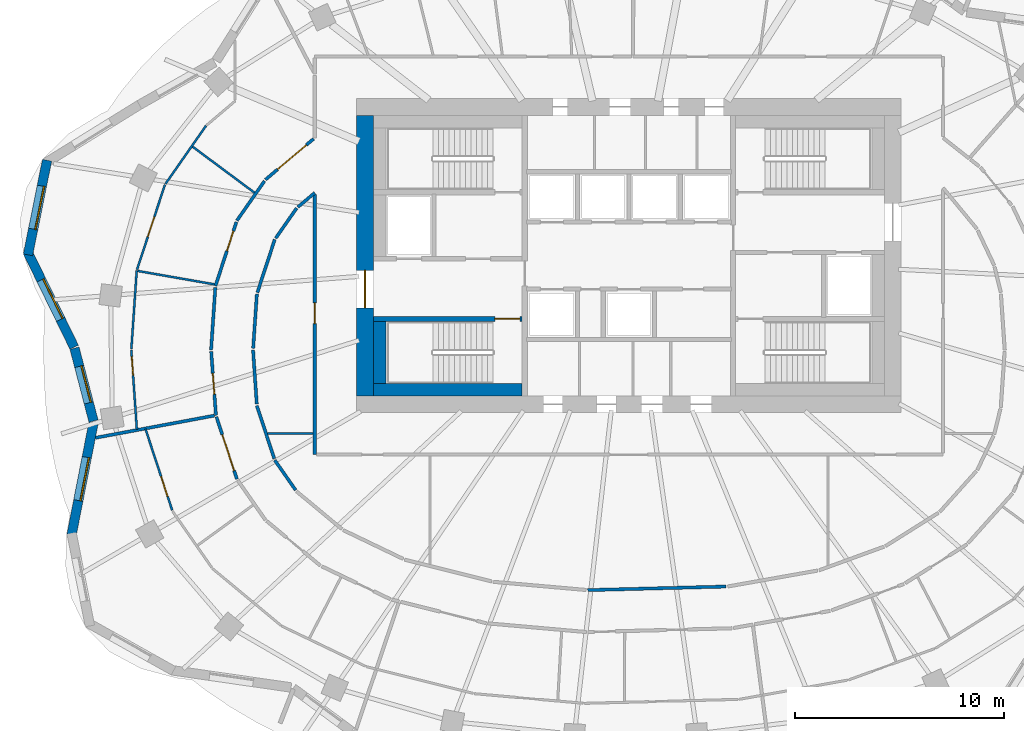
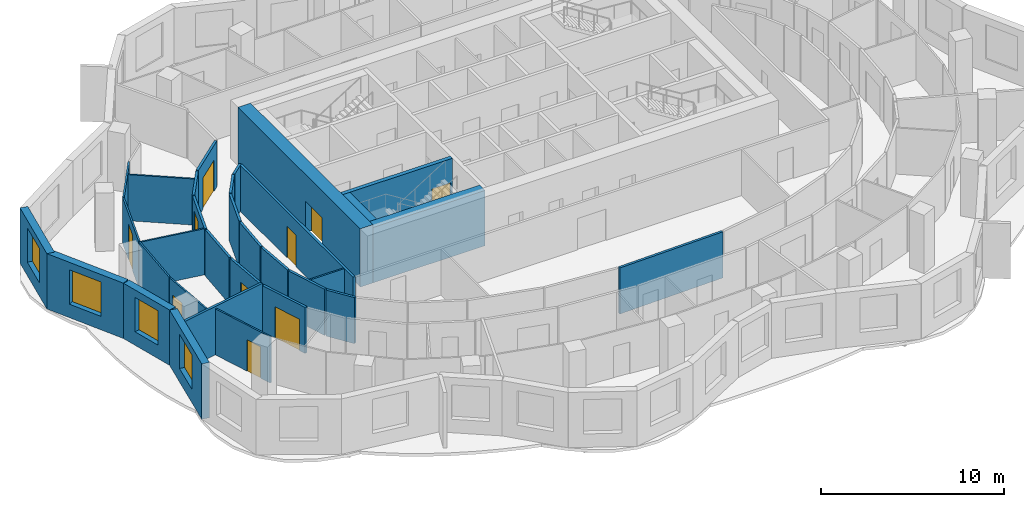
# One storey, part 4 of 11: 32 walls, 10 doors, 4 windows, 14 openings.
"""IFC4 building model written with IfcOpenShell, lengths in metres."""

from ifc_helpers import new_model, si_unit, direction, frame, frame_2d, origin, place, context, subcontext, project, spatial, rectangle, extrude, material, layer, layer_set, type_object, element, fill, save


model = new_model("IFC4")

# Units and contexts
model_context = context("Model", 3, precision=1e-05, world=origin(), true_north=direction((0.0, 1.0)))
body_context = subcontext(model_context, "Body", "Model", "MODEL_VIEW")
ifc_project = project(units=[si_unit("LENGTHUNIT", "METRE"), si_unit("AREAUNIT", "SQUARE_METRE"), si_unit("VOLUMEUNIT", "CUBIC_METRE"), si_unit("PLANEANGLEUNIT", "RADIAN"), si_unit("MASSUNIT", "GRAM", prefix="KILO")], contexts=[model_context])

# Site, building, storey
site_placement = place(None, origin())
site = spatial("IfcSite", under=ifc_project, at=site_placement, CompositionType="ELEMENT")
building_placement = place(site_placement, origin())
building = spatial("IfcBuilding", under=site, at=building_placement, Name="Rubra Terraces Tower", CompositionType="ELEMENT")
storey_placement = place(building_placement, frame((0.0, 0.0, 174.0)))
storey = spatial("IfcBuildingStorey", under=building, at=storey_placement, Name="L42", CompositionType="ELEMENT", Elevation=174.0)

# Wall, opening, window
ifc_material_1 = material(Name="Brick masonry red-brown", Category="masonry")
ifc_layer_1 = layer(ifc_material_1, 0.449951171875)
ifc_layer_set_1 = layer_set([ifc_layer_1], Name="Brick masonry red-brown")
wall_type_1 = type_object("IfcWallType", Name="Brick facade wall 450", PredefinedType="SOLIDWALL", material=ifc_layer_set_1)
wall_1_placement = place(storey_placement, frame((-27.779541015625, 9.053466796875, 0.0), z_axis=(0.0, 0.0, 1.0), x_axis=(-0.197796229105, -0.980243159503, 0.0)))
wall_1 = element("IfcWall", 1, at=wall_1_placement, inside=storey, type_object=wall_type_1, Name="Facade wall L42 bay 19", PredefinedType="SOLIDWALL", context=body_context, shape_type="SweptSolid", body=[
    extrude(rectangle(XDim=4.610107421875, YDim=0.449951171875, at=frame_2d((2.30517578125, 0.0))), origin(), (0.0, 0.0, 1.0), 3.699951171875),
])
opening_1_placement = place(wall_1_placement, frame((1.255126953125, 0.0, 0.89990234375)))
opening_1 = element("IfcOpeningElement", 2, at=opening_1_placement, cuts=wall_1, Name="Opening W1B", PredefinedType="OPENING", context=body_context, shape_type="SweptSolid", body=[
    extrude(rectangle(XDim=2.10009765625, YDim=2.300048828125, at=frame_2d((1.050048828125, 1.14990234375))), frame((0.0, 0.23486328125, 0.0), z_axis=(0.0, -1.0, 0.0), x_axis=(1.0, 0.0, 0.0)), (0.0, 0.0, 1.0), 0.469970703125),
])
ifc_material_2 = material(Name="Clear glass in aluminium frame", Category="aluminium")
window_type_1 = type_object("IfcWindowType", Name="Fixed deep-set window tall storey 2100 x 2300", PartitioningType="SINGLE_PANEL", PredefinedType="WINDOW", material=ifc_material_2)
window_1_placement = place(opening_1_placement, origin())
window_1 = element("IfcWindow", 3, at=window_1_placement, inside=storey, type_object=window_type_1, Name="Window L42 bay 19", OverallHeight=2.300048828125, OverallWidth=2.10009765625, PartitioningType="SINGLE_PANEL", PredefinedType="WINDOW", context=body_context, shape_type="SweptSolid", body=[
    extrude(rectangle(XDim=2.10009765625, YDim=2.300048828125, at=frame_2d((1.050048828125, 1.14990234375))), frame((0.0, 0.135009765625, 0.0), z_axis=(0.0, -1.0, 0.0), x_axis=(1.0, 0.0, 0.0)), (0.0, 0.0, 1.0), 0.06005859375),
])
fill(opening_1, window_1)

wall_2_placement = place(storey_placement, frame((-28.70703125, 4.672119140625, 0.0), z_axis=(0.0, 0.0, 1.0), x_axis=(0.439053549989, -0.898460895221, 0.0)))
wall_2 = element("IfcWall", 4, at=wall_2_placement, inside=storey, type_object=wall_type_1, Name="Facade wall L42 bay 20", PredefinedType="SOLIDWALL", context=body_context, shape_type="SweptSolid", body=[
    extrude(rectangle(XDim=5.061767578125, YDim=0.449951171875, at=frame_2d((2.53076171875, 0.0))), origin(), (0.0, 0.0, 1.0), 3.699951171875),
])
opening_2_placement = place(wall_2_placement, frame((1.48095703125, 0.0, 0.89990234375)))
opening_2 = element("IfcOpeningElement", 5, at=opening_2_placement, cuts=wall_2, Name="Opening W1B", PredefinedType="OPENING", context=body_context, shape_type="SweptSolid", body=[
    extrude(rectangle(XDim=2.10009765625, YDim=2.300048828125, at=frame_2d((1.050048828125, 1.14990234375))), frame((0.0, 0.23486328125, 0.0), z_axis=(0.0, -1.0, 0.0), x_axis=(1.0, 0.0, 0.0)), (0.0, 0.0, 1.0), 0.469970703125),
])
window_2_placement = place(opening_2_placement, origin())
window_2 = element("IfcWindow", 6, at=window_2_placement, inside=storey, type_object=window_type_1, Name="Window L42 bay 20", OverallHeight=2.300048828125, OverallWidth=2.10009765625, PartitioningType="SINGLE_PANEL", PredefinedType="WINDOW", context=body_context, shape_type="SweptSolid", body=[
    extrude(rectangle(XDim=2.10009765625, YDim=2.300048828125, at=frame_2d((1.050048828125, 1.14990234375))), frame((0.0, 0.135009765625, 0.0), z_axis=(0.0, -1.0, 0.0), x_axis=(1.0, 0.0, 0.0)), (0.0, 0.0, 1.0), 0.06005859375),
])
fill(opening_2, window_2)

wall_3_placement = place(storey_placement, frame((-26.469482421875, 0.0791015625, 0.0), z_axis=(0.0, 0.0, 1.0), x_axis=(0.252446779859, -0.967610780913, 0.0)))
wall_3 = element("IfcWall", 7, at=wall_3_placement, inside=storey, type_object=wall_type_1, Name="Facade wall L42 bay 21", PredefinedType="SOLIDWALL", context=body_context, shape_type="SweptSolid", body=[
    extrude(rectangle(XDim=3.5947265625, YDim=0.449951171875, at=frame_2d((1.79736328125, 0.0))), origin(), (0.0, 0.0, 1.0), 3.699951171875),
])
opening_3_placement = place(wall_3_placement, frame((0.897216796875, 0.0, 0.89990234375)))
opening_3 = element("IfcOpeningElement", 8, at=opening_3_placement, cuts=wall_3, Name="Opening W6B", PredefinedType="OPENING", context=body_context, shape_type="SweptSolid", body=[
    extrude(rectangle(XDim=1.800048828125, YDim=2.300048828125, at=frame_2d((0.89990234375, 1.14990234375))), frame((0.0, 0.23486328125, 0.0), z_axis=(0.0, -1.0, 0.0), x_axis=(1.0, 0.0, 0.0)), (0.0, 0.0, 1.0), 0.469970703125),
])
window_type_2 = type_object("IfcWindowType", Name="Fixed deep-set window at wind fin tall storey 1800 x 2300", PartitioningType="SINGLE_PANEL", PredefinedType="WINDOW", material=ifc_material_2)
window_3_placement = place(opening_3_placement, origin())
window_3 = element("IfcWindow", 9, at=window_3_placement, inside=storey, type_object=window_type_2, Name="Window L42 bay 21", OverallHeight=2.300048828125, OverallWidth=1.800048828125, PartitioningType="SINGLE_PANEL", PredefinedType="WINDOW", context=body_context, shape_type="SweptSolid", body=[
    extrude(rectangle(XDim=1.800048828125, YDim=2.300048828125, at=frame_2d((0.89990234375, 1.14990234375))), frame((0.0, 0.135009765625, 0.0), z_axis=(0.0, -1.0, 0.0), x_axis=(1.0, 0.0, 0.0)), (0.0, 0.0, 1.0), 0.06005859375),
])
fill(opening_3, window_3)

wall_4_placement = place(storey_placement, frame((-25.561279296875, -3.490478515625, 0.0), z_axis=(0.0, 0.0, 1.0), x_axis=(-0.192494026297, -0.981298145234, 0.0)))
wall_4 = element("IfcWall", 10, at=wall_4_placement, inside=storey, type_object=wall_type_1, Name="Facade wall L42 bay 22", PredefinedType="SOLIDWALL", context=body_context, shape_type="SweptSolid", body=[
    extrude(rectangle(XDim=5.446044921875, YDim=0.449951171875, at=frame_2d((2.72314453125, 0.0))), origin(), (0.0, 0.0, 1.0), 3.699951171875),
])
opening_4_placement = place(wall_4_placement, frame((1.673095703125, 0.0, 0.89990234375)))
opening_4 = element("IfcOpeningElement", 11, at=opening_4_placement, cuts=wall_4, Name="Opening W1B", PredefinedType="OPENING", context=body_context, shape_type="SweptSolid", body=[
    extrude(rectangle(XDim=2.10009765625, YDim=2.300048828125, at=frame_2d((1.050048828125, 1.14990234375))), frame((0.0, 0.23486328125, 0.0), z_axis=(0.0, -1.0, 0.0), x_axis=(1.0, 0.0, 0.0)), (0.0, 0.0, 1.0), 0.469970703125),
])
window_4_placement = place(opening_4_placement, origin())
window_4 = element("IfcWindow", 12, at=window_4_placement, inside=storey, type_object=window_type_1, Name="Window L42 bay 22", OverallHeight=2.300048828125, OverallWidth=2.10009765625, PartitioningType="SINGLE_PANEL", PredefinedType="WINDOW", context=body_context, shape_type="SweptSolid", body=[
    extrude(rectangle(XDim=2.10009765625, YDim=2.300048828125, at=frame_2d((1.050048828125, 1.14990234375))), frame((0.0, 0.135009765625, 0.0), z_axis=(0.0, -1.0, 0.0), x_axis=(1.0, 0.0, 0.0)), (0.0, 0.0, 1.0), 0.06005859375),
])
fill(opening_4, window_4)

# Wall, opening, door
ifc_material_3 = material(Name="Concrete C50", Category="concrete")
ifc_layer_2 = layer(ifc_material_3, 0.800048828125)
ifc_layer_set_2 = layer_set([ifc_layer_2], Name="Concrete C50")
wall_type_2 = type_object("IfcWallType", Name="CORE WALL 800 C50", PredefinedType="SHEAR", material=ifc_layer_set_2)
wall_5_placement = place(storey_placement, frame((-12.60009765625, -2.199951171875, 0.0), z_axis=(0.0, 0.0, 1.0), x_axis=(0.0, 1.0, 0.0)))
wall_5 = element("IfcWall", 13, at=wall_5_placement, inside=storey, type_object=wall_type_2, Name="CORE WALL W L42", PredefinedType="SHEAR", context=body_context, shape_type="SweptSolid", body=[
    extrude(rectangle(XDim=13.39990234375, YDim=0.800048828125, at=frame_2d((6.699951171875, 0.0))), origin(), (0.0, 0.0, 1.0), 3.89990234375),
])
opening_5_placement = place(wall_5_placement, frame((4.199951171875, 0.0, 0.0)))
opening_5 = element("IfcOpeningElement", 14, at=opening_5_placement, cuts=wall_5, Name="Opening L42.C01", PredefinedType="OPENING", context=body_context, shape_type="SweptSolid", body=[
    extrude(rectangle(XDim=1.800048828125, YDim=2.10009765625, at=frame_2d((0.89990234375, 1.050048828125))), frame((0.0, 0.409912109375, 0.0), z_axis=(0.0, -1.0, 0.0), x_axis=(1.0, 0.0, 0.0)), (0.0, 0.0, 1.0), 0.820068359375),
])
ifc_material_4 = material(Name="Painted steel", Category="steel")
door_type_1 = type_object("IfcDoorType", Name="Fire door 1800x2100 double", OperationType="NOTDEFINED", PredefinedType="DOOR", material=ifc_material_4)
door_1_placement = place(opening_5_placement, origin())
door_1 = element("IfcDoor", 15, at=door_1_placement, inside=storey, type_object=door_type_1, Name="Core entrance door FF1", OperationType="DOUBLE_DOOR_SINGLE_SWING", OverallHeight=2.10009765625, OverallWidth=1.800048828125, PredefinedType="DOOR", context=body_context, shape_type="SweptSolid", body=[
    extrude(rectangle(XDim=1.800048828125, YDim=2.10009765625, at=frame_2d((0.89990234375, 1.050048828125))), frame((0.0, 0.02490234375, 0.0), z_axis=(0.0, -1.0, 0.0), x_axis=(1.0, 0.0, 0.0)), (0.0, 0.0, 1.0), 0.050048828125),
])
fill(opening_5, door_1)

ifc_material_5 = material(Name="Plasterboard on steel stud, mineral wool infill", Category="steel")
ifc_layer_3 = layer(ifc_material_5, 0.14990234375)
ifc_layer_set_3 = layer_set([ifc_layer_3], Name="Plasterboard on steel stud, mineral wool infill")
wall_type_3 = type_object("IfcWallType", Name="CORRIDOR PARTITION 150", PredefinedType="PARTITIONING", material=ifc_layer_set_3)
wall_6_placement = place(storey_placement, frame((-15.05712890625, 10.072998046875, 0.0), z_axis=(0.0, 0.0, 1.0), x_axis=(-0.762398905861, -0.647107339119, 0.0)))
wall_6 = element("IfcWall", 16, at=wall_6_placement, inside=storey, type_object=wall_type_3, Name="PARTITION", PredefinedType="PARTITIONING", context=body_context, shape_type="SweptSolid", body=[
    extrude(rectangle(XDim=3.013427734375, YDim=0.14990234375, at=frame_2d((1.5068359375, 0.0))), origin(), (0.0, 0.0, 1.0), 3.083984375),
])
opening_6_placement = place(wall_6_placement, frame((0.449951171875, 0.0, 0.0)))
opening_6 = element("IfcOpeningElement", 17, at=opening_6_placement, cuts=wall_6, Name="Opening 42-110", PredefinedType="OPENING", context=body_context, shape_type="SweptSolid", body=[
    extrude(rectangle(XDim=1.800048828125, YDim=2.10009765625, at=frame_2d((0.89990234375, 1.050048828125))), frame((0.0, 0.0849609375, 0.0), z_axis=(0.0, -1.0, 0.0), x_axis=(1.0, 0.0, 0.0)), (0.0, 0.0, 1.0), 0.169921875),
])
ifc_material_6 = material(Name="Painted timber door leaf, double", Category="wood")
door_type_2 = type_object("IfcDoorType", Name="ROOM DOUBLE DOOR 1800 X 2100", OperationType="DOUBLE_DOOR_SINGLE_SWING", PredefinedType="DOOR", material=ifc_material_6)
door_2_placement = place(opening_6_placement, origin())
door_2 = element("IfcDoor", 18, at=door_2_placement, inside=storey, type_object=door_type_2, Name="DOOR 42-110", OperationType="DOUBLE_DOOR_SINGLE_SWING", OverallHeight=2.10009765625, OverallWidth=1.800048828125, PredefinedType="DOOR", context=body_context, shape_type="SweptSolid", body=[
    extrude(rectangle(XDim=1.800048828125, YDim=2.10009765625, at=frame_2d((0.89990234375, 1.050048828125))), frame((0.0, 0.02490234375, 0.0), z_axis=(0.0, -1.0, 0.0), x_axis=(1.0, 0.0, 0.0)), (0.0, 0.0, 1.0), 0.050048828125),
])
fill(opening_6, door_2)

# Wall
wall_7_placement = place(storey_placement, frame((-17.3974609375, 8.0615234375, 0.0), z_axis=(0.0, 0.0, 1.0), x_axis=(-0.572118665737, -0.820170855563, 0.0)))
element("IfcWall", 19, at=wall_7_placement, inside=storey, type_object=wall_type_3, Name="PARTITION", PredefinedType="PARTITIONING", context=body_context, shape_type="SweptSolid", body=[
    extrude(rectangle(XDim=2.30615234375, YDim=0.14990234375, at=frame_2d((1.153076171875, 0.0))), origin(), (0.0, 0.0, 1.0), 3.083984375),
])

# Wall, opening, door
wall_8_placement = place(storey_placement, frame((-18.740234375, 6.098876953125, 0.0), z_axis=(0.0, 0.0, 1.0), x_axis=(-0.31188427026, -0.950120098706, 0.0)))
wall_8 = element("IfcWall", 20, at=wall_8_placement, inside=storey, type_object=wall_type_3, Name="PARTITION", PredefinedType="PARTITIONING", context=body_context, shape_type="SweptSolid", body=[
    extrude(rectangle(XDim=3.206298828125, YDim=0.14990234375, at=frame_2d((1.60302734375, 0.0))), origin(), (0.0, 0.0, 1.0), 3.083984375),
])
opening_7_placement = place(wall_8_placement, frame((0.449951171875, 0.0, 0.0)))
opening_7 = element("IfcOpeningElement", 21, at=opening_7_placement, cuts=wall_8, Name="Opening 42-111", PredefinedType="OPENING", context=body_context, shape_type="SweptSolid", body=[
    extrude(rectangle(XDim=1.0, YDim=2.39990234375, at=frame_2d((0.5, 1.199951171875))), frame((0.0, 0.0849609375, 0.0), z_axis=(0.0, -1.0, 0.0), x_axis=(1.0, 0.0, 0.0)), (0.0, 0.0, 1.0), 0.169921875),
])
ifc_material_7 = material(Name="Glazed aluminium meeting door leaf", Category="aluminium")
door_type_3 = type_object("IfcDoorType", Name="MEETING ROOM GLAZED DOOR 1000 X 2400", OperationType="SINGLE_SWING_LEFT", PredefinedType="DOOR", material=ifc_material_7)
door_3_placement = place(opening_7_placement, origin())
door_3 = element("IfcDoor", 22, at=door_3_placement, inside=storey, type_object=door_type_3, Name="DOOR 42-111", OperationType="SINGLE_SWING_RIGHT", OverallHeight=2.39990234375, OverallWidth=1.0, PredefinedType="DOOR", context=body_context, shape_type="SweptSolid", body=[
    extrude(rectangle(XDim=1.0, YDim=2.39990234375, at=frame_2d((0.5, 1.199951171875))), frame((0.0, 0.02490234375, 0.0), z_axis=(0.0, -1.0, 0.0), x_axis=(1.0, 0.0, 0.0)), (0.0, 0.0, 1.0), 0.050048828125),
])
fill(opening_7, door_3)

# Wall
wall_9_placement = place(storey_placement, frame((-19.745361328125, 2.9775390625, 0.0), z_axis=(0.0, 0.0, 1.0), x_axis=(-0.068142324, -0.997675610447, 0.0)))
element("IfcWall", 23, at=wall_9_placement, inside=storey, type_object=wall_type_3, Name="PARTITION", PredefinedType="PARTITIONING", context=body_context, shape_type="SweptSolid", body=[
    extrude(rectangle(XDim=2.984375, YDim=0.14990234375, at=frame_2d((1.4921875, 0.0))), origin(), (0.0, 0.0, 1.0), 3.083984375),
])

# Wall, opening, door
wall_10_placement = place(storey_placement, frame((-19.943115234375, -0.07470703125, 0.0), z_axis=(0.0, 0.0, 1.0), x_axis=(0.074071611523, -0.997252924973, 0.0)))
wall_10 = element("IfcWall", 24, at=wall_10_placement, inside=storey, type_object=wall_type_3, Name="PARTITION", PredefinedType="PARTITIONING", context=body_context, shape_type="SweptSolid", body=[
    extrude(rectangle(XDim=3.05859375, YDim=0.14990234375, at=frame_2d((1.529296875, 0.0))), origin(), (0.0, 0.0, 1.0), 3.083984375),
])
opening_8_placement = place(wall_10_placement, frame((1.050048828125, 0.0, 0.0)))
opening_8 = element("IfcOpeningElement", 25, at=opening_8_placement, cuts=wall_10, Name="Opening 42-135", PredefinedType="OPENING", context=body_context, shape_type="SweptSolid", body=[
    extrude(rectangle(XDim=1.0, YDim=2.10009765625, at=frame_2d((0.5, 1.050048828125))), frame((0.0, 0.0849609375, 0.0), z_axis=(0.0, -1.0, 0.0), x_axis=(1.0, 0.0, 0.0)), (0.0, 0.0, 1.0), 0.169921875),
])
ifc_material_8 = material(Name="Painted timber door leaf", Category="wood")
door_type_4 = type_object("IfcDoorType", Name="ROOM DOOR 1000 X 2100", OperationType="SINGLE_SWING_LEFT", PredefinedType="DOOR", material=ifc_material_8)
door_4_placement = place(opening_8_placement, origin())
door_4 = element("IfcDoor", 26, at=door_4_placement, inside=storey, type_object=door_type_4, Name="DOOR 42-135", OperationType="SINGLE_SWING_RIGHT", OverallHeight=2.10009765625, OverallWidth=1.0, PredefinedType="DOOR", context=body_context, shape_type="SweptSolid", body=[
    extrude(rectangle(XDim=1.0, YDim=2.10009765625, at=frame_2d((0.5, 1.050048828125))), frame((0.0, 0.02490234375, 0.0), z_axis=(0.0, -1.0, 0.0), x_axis=(1.0, 0.0, 0.0)), (0.0, 0.0, 1.0), 0.050048828125),
])
fill(opening_8, door_4)

wall_11_placement = place(storey_placement, frame((-19.693115234375, -3.1962890625, 0.0), z_axis=(0.0, 0.0, 1.0), x_axis=(0.311918951318, -0.950108713679, 0.0)))
wall_11 = element("IfcWall", 27, at=wall_11_placement, inside=storey, type_object=wall_type_3, Name="PARTITION", PredefinedType="PARTITIONING", context=body_context, shape_type="SweptSolid", body=[
    extrude(rectangle(XDim=3.130126953125, YDim=0.14990234375, at=frame_2d((1.56494140625, 0.0))), origin(), (0.0, 0.0, 1.0), 3.083984375),
])
opening_9_placement = place(wall_11_placement, frame((0.89990234375, 0.0, 0.0)))
opening_9 = element("IfcOpeningElement", 28, at=opening_9_placement, cuts=wall_11, Name="Opening 42-113", PredefinedType="OPENING", context=body_context, shape_type="SweptSolid", body=[
    extrude(rectangle(XDim=1.800048828125, YDim=2.10009765625, at=frame_2d((0.89990234375, 1.050048828125))), frame((0.0, 0.0849609375, 0.0), z_axis=(0.0, -1.0, 0.0), x_axis=(1.0, 0.0, 0.0)), (0.0, 0.0, 1.0), 0.169921875),
])
door_5_placement = place(opening_9_placement, origin())
door_5 = element("IfcDoor", 29, at=door_5_placement, inside=storey, type_object=door_type_2, Name="DOOR 42-113", OperationType="DOUBLE_DOOR_SINGLE_SWING", OverallHeight=2.10009765625, OverallWidth=1.800048828125, PredefinedType="DOOR", context=body_context, shape_type="SweptSolid", body=[
    extrude(rectangle(XDim=1.800048828125, YDim=2.10009765625, at=frame_2d((0.89990234375, 1.050048828125))), frame((0.0, 0.02490234375, 0.0), z_axis=(0.0, -1.0, 0.0), x_axis=(1.0, 0.0, 0.0)), (0.0, 0.0, 1.0), 0.050048828125),
])
fill(opening_9, door_5)

# Walls
wall_12_placement = place(storey_placement, frame((4.64453125, -11.30078125, 0.0), z_axis=(0.0, 0.0, 1.0), x_axis=(-0.9996648469, -0.02588810291, 0.0)))
element("IfcWall", 30, at=wall_12_placement, inside=storey, type_object=wall_type_3, Name="PARTITION", PredefinedType="PARTITIONING", context=body_context, shape_type="SweptSolid", body=[
    extrude(rectangle(XDim=6.61083984375, YDim=0.14990234375, at=frame_2d((3.305419921875, 0.0))), origin(), (0.0, 0.0, 1.0), 3.083984375),
])
wall_13_placement = place(storey_placement, frame((-15.911865234375, -6.695556640625, 0.0), z_axis=(0.0, 0.0, 1.0), x_axis=(-0.572078533763, 0.820198848578, 0.0)))
element("IfcWall", 31, at=wall_13_placement, inside=storey, type_object=wall_type_3, Name="PARTITION", PredefinedType="PARTITIONING", context=body_context, shape_type="SweptSolid", body=[
    extrude(rectangle(XDim=1.74169921875, YDim=0.14990234375, at=frame_2d((0.870849609375, 0.0))), origin(), (0.0, 0.0, 1.0), 3.083984375),
])
wall_14_placement = place(storey_placement, frame((-16.931640625, -5.19580078125, 0.0), z_axis=(0.0, 0.0, 1.0), x_axis=(-0.311904957484, 0.950113307715, 0.0)))
element("IfcWall", 32, at=wall_14_placement, inside=storey, type_object=wall_type_3, Name="PARTITION", PredefinedType="PARTITIONING", context=body_context, shape_type="SweptSolid", body=[
    extrude(rectangle(XDim=2.662109375, YDim=0.14990234375, at=frame_2d((1.3310546875, 0.0))), origin(), (0.0, 0.0, 1.0), 3.083984375),
])
wall_15_placement = place(storey_placement, frame((-17.76708984375, -2.591552734375, 0.0), z_axis=(0.0, 0.0, 1.0), x_axis=(-0.068140828228, 0.997675712608, 0.0)))
element("IfcWall", 33, at=wall_15_placement, inside=storey, type_object=wall_type_3, Name="PARTITION", PredefinedType="PARTITIONING", context=body_context, shape_type="SweptSolid", body=[
    extrude(rectangle(XDim=2.59765625, YDim=0.14990234375, at=frame_2d((1.298828125, 0.0))), origin(), (0.0, 0.0, 1.0), 3.083984375),
])
wall_16_placement = place(storey_placement, frame((-17.939208984375, 0.07470703125, 0.0), z_axis=(0.0, 0.0, 1.0), x_axis=(0.068227980697, 0.997669756307, 0.0)))
element("IfcWall", 34, at=wall_16_placement, inside=storey, type_object=wall_type_3, Name="PARTITION", PredefinedType="PARTITIONING", context=body_context, shape_type="SweptSolid", body=[
    extrude(rectangle(XDim=2.597900390625, YDim=0.14990234375, at=frame_2d((1.298828125, 0.0))), origin(), (0.0, 0.0, 1.0), 3.083984375),
])
wall_17_placement = place(storey_placement, frame((-17.738525390625, 2.73779296875, 0.0), z_axis=(0.0, 0.0, 1.0), x_axis=(0.311904957484, 0.950113307715, 0.0)))
element("IfcWall", 35, at=wall_17_placement, inside=storey, type_object=wall_type_3, Name="PARTITION", PredefinedType="PARTITIONING", context=body_context, shape_type="SweptSolid", body=[
    extrude(rectangle(XDim=2.662109375, YDim=0.14990234375, at=frame_2d((1.3310546875, 0.0))), origin(), (0.0, 0.0, 1.0), 3.083984375),
])
wall_18_placement = place(storey_placement, frame((-16.865478515625, 5.32861328125, 0.0), z_axis=(0.0, 0.0, 1.0), x_axis=(0.572096615639, 0.820186236397, 0.0)))
element("IfcWall", 36, at=wall_18_placement, inside=storey, type_object=wall_type_3, Name="PARTITION", PredefinedType="PARTITIONING", context=body_context, shape_type="SweptSolid", body=[
    extrude(rectangle(XDim=1.752685546875, YDim=0.14990234375, at=frame_2d((0.87646484375, 0.0))), origin(), (0.0, 0.0, 1.0), 3.083984375),
])
wall_19_placement = place(storey_placement, frame((-15.805419921875, 6.814453125, 0.0), z_axis=(0.0, 0.0, 1.0), x_axis=(0.762298381233, 0.647225755027, 0.0)))
element("IfcWall", 37, at=wall_19_placement, inside=storey, type_object=wall_type_3, Name="PARTITION", PredefinedType="PARTITIONING", context=body_context, shape_type="SweptSolid", body=[
    extrude(rectangle(XDim=1.056640625, YDim=0.14990234375, at=frame_2d((0.5283203125, 0.0))), origin(), (0.0, 0.0, 1.0), 3.083984375),
])

# Wall, opening, door
wall_20_placement = place(storey_placement, frame((-15.0, 7.423095703125, 0.0), z_axis=(0.0, 0.0, 1.0), x_axis=(0.0, -1.0, 0.0)))
wall_20 = element("IfcWall", 38, at=wall_20_placement, inside=storey, type_object=wall_type_3, Name="PARTITION", PredefinedType="PARTITIONING", context=body_context, shape_type="SweptSolid", body=[
    extrude(rectangle(XDim=12.423095703125, YDim=0.14990234375, at=frame_2d((6.21142578125, 0.0))), origin(), (0.0, 0.0, 1.0), 3.083984375),
])
opening_10_placement = place(wall_20_placement, frame((5.174072265625, 0.0, 0.0)))
opening_10 = element("IfcOpeningElement", 39, at=opening_10_placement, cuts=wall_20, Name="Opening 42-127", PredefinedType="OPENING", context=body_context, shape_type="SweptSolid", body=[
    extrude(rectangle(XDim=1.0, YDim=2.10009765625, at=frame_2d((0.5, 1.050048828125))), frame((0.0, 0.0849609375, 0.0), z_axis=(0.0, -1.0, 0.0), x_axis=(1.0, 0.0, 0.0)), (0.0, 0.0, 1.0), 0.169921875),
])
door_6_placement = place(opening_10_placement, origin())
door_6 = element("IfcDoor", 40, at=door_6_placement, inside=storey, type_object=door_type_4, Name="DOOR 42-127", OperationType="SINGLE_SWING_RIGHT", OverallHeight=2.10009765625, OverallWidth=1.0, PredefinedType="DOOR", context=body_context, shape_type="SweptSolid", body=[
    extrude(rectangle(XDim=1.0, YDim=2.10009765625, at=frame_2d((0.5, 1.050048828125))), frame((0.0, 0.02490234375, 0.0), z_axis=(0.0, -1.0, 0.0), x_axis=(1.0, 0.0, 0.0)), (0.0, 0.0, 1.0), 0.050048828125),
])
fill(opening_10, door_6)

# Walls
ifc_material_9 = material(Name="Concrete C40", Category="concrete")
ifc_layer_4 = layer(ifc_material_9, 0.60009765625)
ifc_layer_set_4 = layer_set([ifc_layer_4], Name="Concrete C40")
wall_type_4 = type_object("IfcWallType", Name="Core lining wall 600 concrete", PredefinedType="SOLIDWALL", material=ifc_layer_set_4)
wall_21_placement = place(storey_placement, frame((-12.199951171875, -1.89990234375, 0.0), z_axis=(0.0, 0.0, 1.0), x_axis=(1.0, 0.0, 0.0)))
element("IfcWall", 41, at=wall_21_placement, inside=storey, type_object=wall_type_4, Name="CORE LINING WALL L42", PredefinedType="SOLIDWALL", context=body_context, shape_type="SweptSolid", body=[
    extrude(rectangle(XDim=7.099853515625, YDim=0.60009765625, at=frame_2d((3.5498046875, 0.0))), origin(), (0.0, 0.0, 1.0), 3.699951171875),
])
wall_22_placement = place(storey_placement, frame((-11.89990234375, -1.60009765625, 0.0), z_axis=(0.0, 0.0, 1.0), x_axis=(0.0, 1.0, 0.0)))
element("IfcWall", 42, at=wall_22_placement, inside=storey, type_object=wall_type_4, Name="CORE LINING WALL L42", PredefinedType="SOLIDWALL", context=body_context, shape_type="SweptSolid", body=[
    extrude(rectangle(XDim=2.9501953125, YDim=0.60009765625, at=frame_2d((1.47509765625, 0.0))), origin(), (0.0, 0.0, 1.0), 3.699951171875),
])

# Wall, opening, door
ifc_material_10 = material(Name="Plasterboard on steel stud", Category="steel")
ifc_layer_5 = layer(ifc_material_10, 0.10009765625)
ifc_layer_set_5 = layer_set([ifc_layer_5], Name="Plasterboard on steel stud")
wall_type_5 = type_object("IfcWallType", Name="ROOM PARTITION 100", PredefinedType="PARTITIONING", material=ifc_layer_set_5)
wall_23_placement = place(storey_placement, frame((-23.4912109375, -3.8095703125, 0.0), z_axis=(0.0, 0.0, 1.0), x_axis=(-0.069811314636, 0.997560213896, 0.0)))
wall_23 = element("IfcWall", 43, at=wall_23_placement, inside=storey, type_object=wall_type_5, Name="PARTITION", PredefinedType="PARTITIONING", context=body_context, shape_type="SweptSolid", body=[
    extrude(rectangle(XDim=3.81884765625, YDim=0.10009765625, at=frame_2d((1.909423828125, 0.0))), origin(), (0.0, 0.0, 1.0), 3.083984375),
])
opening_11_placement = place(wall_23_placement, frame((2.60009765625, 0.0, 0.0)))
opening_11 = element("IfcOpeningElement", 44, at=opening_11_placement, cuts=wall_23, Name="Opening 42-112", PredefinedType="OPENING", context=body_context, shape_type="SweptSolid", body=[
    extrude(rectangle(XDim=0.89990234375, YDim=2.10009765625, at=frame_2d((0.449951171875, 1.050048828125))), frame((0.0, 0.06005859375, 0.0), z_axis=(0.0, -1.0, 0.0), x_axis=(1.0, 0.0, 0.0)), (0.0, 0.0, 1.0), 0.1201171875),
])
door_type_5 = type_object("IfcDoorType", Name="ROOM DOOR 900 X 2100", OperationType="SINGLE_SWING_LEFT", PredefinedType="DOOR", material=ifc_material_8)
door_7_placement = place(opening_11_placement, origin())
door_7 = element("IfcDoor", 45, at=door_7_placement, inside=storey, type_object=door_type_5, Name="DOOR 42-112", OperationType="SINGLE_SWING_LEFT", OverallHeight=2.10009765625, OverallWidth=0.89990234375, PredefinedType="DOOR", context=body_context, shape_type="SweptSolid", body=[
    extrude(rectangle(XDim=0.89990234375, YDim=2.10009765625, at=frame_2d((0.449951171875, 1.050048828125))), frame((0.0, 0.02490234375, 0.0), z_axis=(0.0, -1.0, 0.0), x_axis=(1.0, 0.0, 0.0)), (0.0, 0.0, 1.0), 0.050048828125),
])
fill(opening_11, door_7)

# Wall
wall_24_placement = place(storey_placement, frame((-23.75439453125, 0.0498046875, 0.0), z_axis=(0.0, 0.0, 1.0), x_axis=(0.068193493527, 0.997672114194, 0.0)))
element("IfcWall", 46, at=wall_24_placement, inside=storey, type_object=wall_type_5, Name="PARTITION", PredefinedType="PARTITIONING", context=body_context, shape_type="SweptSolid", body=[
    extrude(rectangle(XDim=3.744873046875, YDim=0.10009765625, at=frame_2d((1.87255859375, 0.0))), origin(), (0.0, 0.0, 1.0), 3.083984375),
])

# Wall, opening, door
wall_25_placement = place(storey_placement, frame((-23.4833984375, 3.833251953125, 0.0), z_axis=(0.0, 0.0, 1.0), x_axis=(0.311880220566, 0.95012142804, 0.0)))
wall_25 = element("IfcWall", 47, at=wall_25_placement, inside=storey, type_object=wall_type_5, Name="PARTITION", PredefinedType="PARTITIONING", context=body_context, shape_type="SweptSolid", body=[
    extrude(rectangle(XDim=4.265380859375, YDim=0.10009765625, at=frame_2d((2.1328125, 0.0))), origin(), (0.0, 0.0, 1.0), 3.083984375),
])
opening_12_placement = place(wall_25_placement, frame((1.64990234375, 0.0, 0.0)))
opening_12 = element("IfcOpeningElement", 48, at=opening_12_placement, cuts=wall_25, Name="Opening 42-134", PredefinedType="OPENING", context=body_context, shape_type="SweptSolid", body=[
    extrude(rectangle(XDim=1.0, YDim=2.39990234375, at=frame_2d((0.5, 1.199951171875))), frame((0.0, 0.06005859375, 0.0), z_axis=(0.0, -1.0, 0.0), x_axis=(1.0, 0.0, 0.0)), (0.0, 0.0, 1.0), 0.1201171875),
])
door_8_placement = place(opening_12_placement, origin())
door_8 = element("IfcDoor", 49, at=door_8_placement, inside=storey, type_object=door_type_3, Name="DOOR 42-134", OperationType="SINGLE_SWING_LEFT", OverallHeight=2.39990234375, OverallWidth=1.0, PredefinedType="DOOR", context=body_context, shape_type="SweptSolid", body=[
    extrude(rectangle(XDim=1.0, YDim=2.39990234375, at=frame_2d((0.5, 1.199951171875))), frame((0.0, 0.02490234375, 0.0), z_axis=(0.0, -1.0, 0.0), x_axis=(1.0, 0.0, 0.0)), (0.0, 0.0, 1.0), 0.050048828125),
])
fill(opening_12, door_8)

# Walls
wall_26_placement = place(storey_placement, frame((-22.12451171875, 7.927001953125, 0.0), z_axis=(0.0, 0.0, 1.0), x_axis=(0.572100301866, 0.820183665166, 0.0)))
element("IfcWall", 50, at=wall_26_placement, inside=storey, type_object=wall_type_5, Name="PARTITION", PredefinedType="PARTITIONING", context=body_context, shape_type="SweptSolid", body=[
    extrude(rectangle(XDim=3.38232421875, YDim=0.10009765625, at=frame_2d((1.691162109375, 0.0))), origin(), (0.0, 0.0, 1.0), 3.083984375),
])
wall_27_placement = place(storey_placement, frame((-17.877197265625, 7.504638671875, 0.0), z_axis=(0.0, 0.0, 1.0), x_axis=(-0.802692989486, 0.596392458563, 0.0)))
element("IfcWall", 51, at=wall_27_placement, inside=storey, type_object=wall_type_5, Name="PARTITION", PredefinedType="PARTITIONING", context=body_context, shape_type="SweptSolid", body=[
    extrude(rectangle(XDim=3.677001953125, YDim=0.10009765625, at=frame_2d((1.83837890625, 0.0))), origin(), (0.0, 0.0, 1.0), 3.083984375),
])
wall_28_placement = place(storey_placement, frame((-19.793701171875, 3.1279296875, 0.0), z_axis=(0.0, 0.0, 1.0), x_axis=(-0.985065623684, 0.172179316518, 0.0)))
element("IfcWall", 52, at=wall_28_placement, inside=storey, type_object=wall_type_5, Name="PARTITION", PredefinedType="PARTITIONING", context=body_context, shape_type="SweptSolid", body=[
    extrude(rectangle(XDim=3.712158203125, YDim=0.10009765625, at=frame_2d((1.85595703125, 0.0))), origin(), (0.0, 0.0, 1.0), 3.083984375),
])

# Wall, opening, door
wall_29_placement = place(storey_placement, frame((-21.806884765625, -7.657958984375, 0.0), z_axis=(0.0, 0.0, 1.0), x_axis=(-0.311924580949, 0.950106865463, 0.0)))
wall_29 = element("IfcWall", 53, at=wall_29_placement, inside=storey, type_object=wall_type_5, Name="PARTITION", PredefinedType="PARTITIONING", context=body_context, shape_type="SweptSolid", body=[
    extrude(rectangle(XDim=4.087890625, YDim=0.10009765625, at=frame_2d((2.0439453125, 0.0))), origin(), (0.0, 0.0, 1.0), 3.083984375),
])
opening_13_placement = place(wall_29_placement, frame((0.698974609375, 0.0, 0.0)))
opening_13 = element("IfcOpeningElement", 54, at=opening_13_placement, cuts=wall_29, Name="Opening 42-114", PredefinedType="OPENING", context=body_context, shape_type="SweptSolid", body=[
    extrude(rectangle(XDim=1.0, YDim=2.10009765625, at=frame_2d((0.5, 1.050048828125))), frame((0.0, 0.06005859375, 0.0), z_axis=(0.0, -1.0, 0.0), x_axis=(1.0, 0.0, 0.0)), (0.0, 0.0, 1.0), 0.1201171875),
])
door_9_placement = place(opening_13_placement, origin())
door_9 = element("IfcDoor", 55, at=door_9_placement, inside=storey, type_object=door_type_4, Name="DOOR 42-114", OperationType="SINGLE_SWING_LEFT", OverallHeight=2.10009765625, OverallWidth=1.0, PredefinedType="DOOR", context=body_context, shape_type="SweptSolid", body=[
    extrude(rectangle(XDim=1.0, YDim=2.10009765625, at=frame_2d((0.5, 1.050048828125))), frame((0.0, 0.02490234375, 0.0), z_axis=(0.0, -1.0, 0.0), x_axis=(1.0, 0.0, 0.0)), (0.0, 0.0, 1.0), 0.050048828125),
])
fill(opening_13, door_9)

# Walls
wall_30_placement = place(storey_placement, frame((-17.249267578125, -4.0, 0.0), z_axis=(0.0, 0.0, 1.0), x_axis=(1.0, 0.0, 0.0)))
element("IfcWall", 56, at=wall_30_placement, inside=storey, type_object=wall_type_5, Name="PARTITION", PredefinedType="PARTITIONING", context=body_context, shape_type="SweptSolid", body=[
    extrude(rectangle(XDim=2.17431640625, YDim=0.10009765625, at=frame_2d((1.087158203125, 0.0))), origin(), (0.0, 0.0, 1.0), 3.083984375),
])
ifc_layer_6 = layer(ifc_material_10, 0.14990234375)
ifc_layer_set_6 = layer_set([ifc_layer_6], Name="Plasterboard on steel stud")
wall_type_6 = type_object("IfcWallType", Name="ROOM PARTITION 150", PredefinedType="PARTITIONING", material=ifc_layer_set_6)
wall_31_placement = place(storey_placement, frame((-25.466796875, -4.198974609375, 0.0), z_axis=(0.0, 0.0, 1.0), x_axis=(0.982998787258, 0.183612048216, 0.0)))
element("IfcWall", 57, at=wall_31_placement, inside=storey, type_object=wall_type_6, Name="PARTITION", PredefinedType="PARTITIONING", context=body_context, shape_type="SweptSolid", body=[
    extrude(rectangle(XDim=5.774658203125, YDim=0.14990234375, at=frame_2d((2.88720703125, 0.0))), origin(), (0.0, 0.0, 1.0), 3.23388671875),
])

# Wall, opening, door
ifc_layer_7 = layer(ifc_material_9, 0.25)
ifc_layer_set_7 = layer_set([ifc_layer_7], Name="Concrete C40")
wall_type_7 = type_object("IfcWallType", Name="Stair enclosure wall 250 concrete", PredefinedType="SOLIDWALL", material=ifc_layer_set_7)
wall_32_placement = place(storey_placement, frame((-12.199951171875, 1.47509765625, 0.0), z_axis=(0.0, 0.0, 1.0), x_axis=(1.0, 0.0, 0.0)))
wall_32 = element("IfcWall", 58, at=wall_32_placement, inside=storey, type_object=wall_type_7, Name="STAIR WALL L42", PredefinedType="SOLIDWALL", context=body_context, shape_type="SweptSolid", body=[
    extrude(rectangle(XDim=7.099853515625, YDim=0.25, at=frame_2d((3.5498046875, 0.0))), origin(), (0.0, 0.0, 1.0), 3.699951171875),
])
opening_14_placement = place(wall_32_placement, frame((5.800048828125, 0.0, 0.0)))
opening_14 = element("IfcOpeningElement", 59, at=opening_14_placement, cuts=wall_32, Name="Opening L42.C07", PredefinedType="OPENING", context=body_context, shape_type="SweptSolid", body=[
    extrude(rectangle(XDim=1.199951171875, YDim=2.10009765625, at=frame_2d((0.60009765625, 1.050048828125))), frame((0.0, 0.135009765625, 0.0), z_axis=(0.0, -1.0, 0.0), x_axis=(1.0, 0.0, 0.0)), (0.0, 0.0, 1.0), 0.27001953125),
])
door_type_6 = type_object("IfcDoorType", Name="Fire door 1200x2100 single", OperationType="NOTDEFINED", PredefinedType="DOOR", material=ifc_material_4)
door_10_placement = place(opening_14_placement, origin())
door_10 = element("IfcDoor", 60, at=door_10_placement, inside=storey, type_object=door_type_6, Name="Stair door S1", OperationType="SINGLE_SWING_LEFT", OverallHeight=2.10009765625, OverallWidth=1.199951171875, PredefinedType="DOOR", context=body_context, shape_type="SweptSolid", body=[
    extrude(rectangle(XDim=1.199951171875, YDim=2.10009765625, at=frame_2d((0.60009765625, 1.050048828125))), frame((0.0, 0.02490234375, 0.0), z_axis=(0.0, -1.0, 0.0), x_axis=(1.0, 0.0, 0.0)), (0.0, 0.0, 1.0), 0.050048828125),
])
fill(opening_14, door_10)

save(model, "model.ifc")
